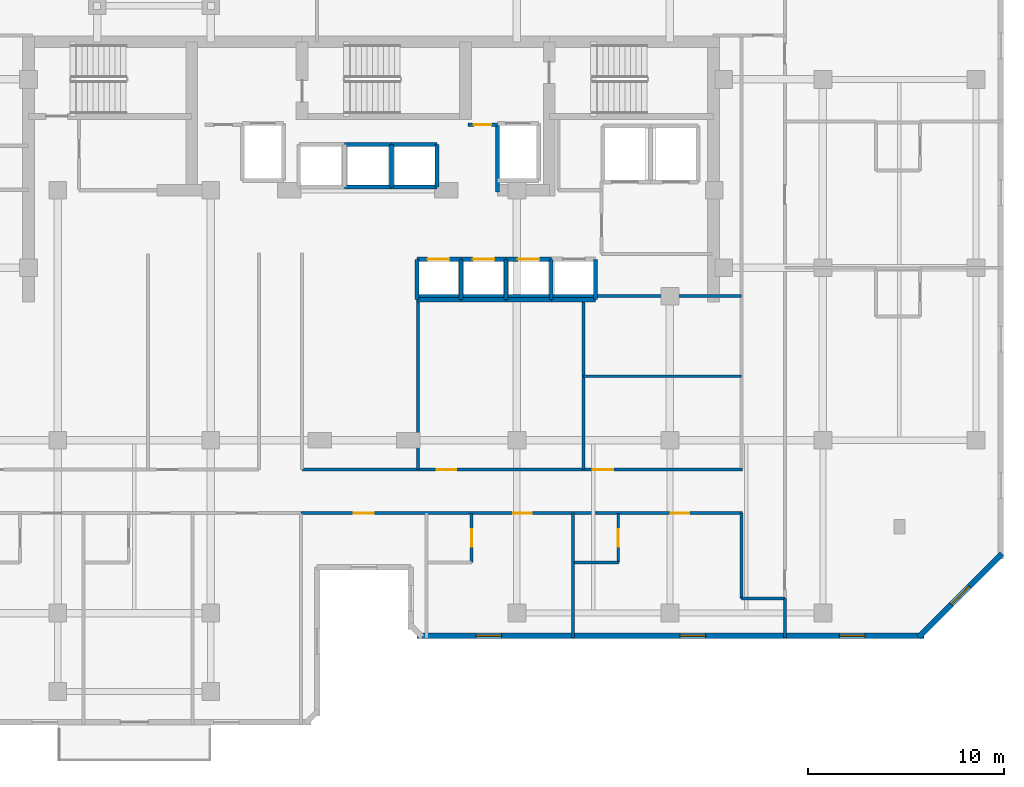
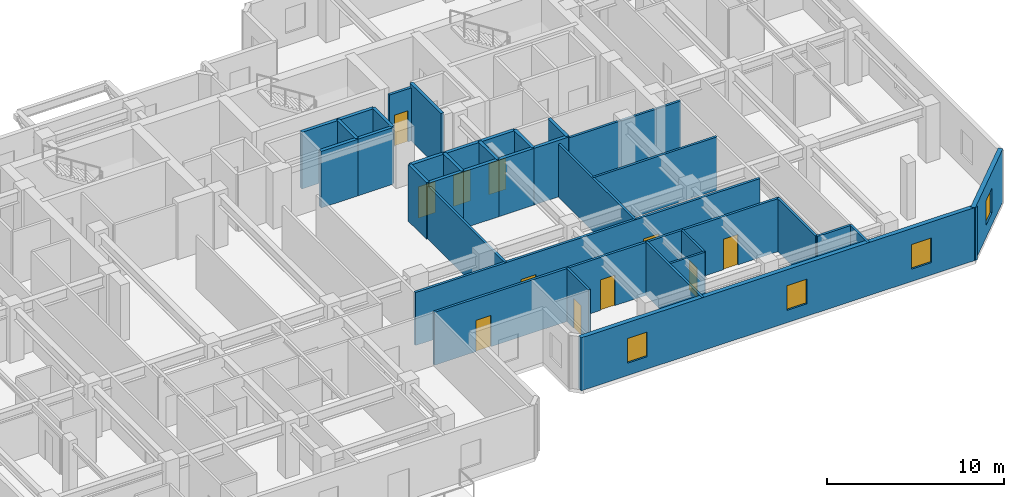
# One storey, part 6 of 11: 35 walls, 11 doors, 4 windows, 15 openings.
"""IFC4 building model written with IfcOpenShell, lengths in metres."""

from ifc_helpers import new_model, si_unit, direction, frame, frame_2d, origin, place, context, subcontext, project, spatial, rectangle, extrude, material, layer, layer_set, type_object, element, fill, save


model = new_model("IFC4")

# Units and contexts
model_context = context("Model", 3, precision=1e-05, world=origin(), true_north=direction((0.0, 1.0)))
body_context = subcontext(model_context, "Body", "Model", "MODEL_VIEW")
ifc_project = project(units=[si_unit("LENGTHUNIT", "METRE"), si_unit("AREAUNIT", "SQUARE_METRE"), si_unit("VOLUMEUNIT", "CUBIC_METRE"), si_unit("PLANEANGLEUNIT", "RADIAN"), si_unit("MASSUNIT", "GRAM", prefix="KILO")], contexts=[model_context])

# Site, building, storey
site_placement = place(None, origin())
site = spatial("IfcSite", under=ifc_project, at=site_placement, CompositionType="ELEMENT")
building_placement = place(site_placement, origin())
building = spatial("IfcBuilding", under=site, at=building_placement, Name="Kestravale Grand Hotel", CompositionType="ELEMENT")
storey_placement = place(building_placement, frame((0.0, 0.0, 208.5)))
storey = spatial("IfcBuildingStorey", under=building, at=storey_placement, Name="L52", CompositionType="ELEMENT", Elevation=208.5)

# Wall, openings, windows
ifc_material_1 = material(Name="Precast concrete f'c 45 MPa", Category="concrete")
ifc_layer_1 = layer(ifc_material_1, 0.280029296875)
ifc_layer_set_1 = layer_set([ifc_layer_1], Name="EW-PREC-280")
wall_type_1 = type_object("IfcWallType", Name="EW-PREC-280", PredefinedType="SOLIDWALL", material=ifc_layer_set_1)
wall_1_placement = place(storey_placement, frame((41.7099609375, 10.0400390625, 0.0), z_axis=(0.0, 0.0, 1.0), x_axis=(1.0, 0.0, 0.0)))
wall_1 = element("IfcWall", 1, at=wall_1_placement, inside=storey, type_object=wall_type_1, Name="L52 fluted precast facade wall 7", PredefinedType="SOLIDWALL", context=body_context, shape_type="SweptSolid", body=[
    extrude(rectangle(XDim=25.830078125, YDim=0.280029296875, at=frame_2d((12.9150390625, 0.0))), origin(), (0.0, 0.0, 1.0), 3.64990234375),
])
opening_1_placement = place(wall_1_placement, frame((3.0048828125, 0.0, 0.85009765625)))
opening_1 = element("IfcOpeningElement", 2, at=opening_1_placement, cuts=wall_1, Name="Opening W-GUEST-1300", PredefinedType="OPENING", context=body_context, shape_type="SweptSolid", body=[
    extrude(rectangle(XDim=1.300048828125, YDim=1.699951171875, at=frame_2d((0.64990234375, 0.85009765625))), frame((0.0, 0.14990234375, 0.0), z_axis=(0.0, -1.0, 0.0), x_axis=(1.0, 0.0, 0.0)), (0.0, 0.0, 1.0), 0.300048828125),
])
opening_2_placement = place(wall_1_placement, frame((13.4150390625, 0.0, 0.85009765625)))
opening_2 = element("IfcOpeningElement", 3, at=opening_2_placement, cuts=wall_1, Name="Opening W-GUEST-1300", PredefinedType="OPENING", context=body_context, shape_type="SweptSolid", body=[
    extrude(rectangle(XDim=1.300048828125, YDim=1.699951171875, at=frame_2d((0.64990234375, 0.85009765625))), frame((0.0, 0.14990234375, 0.0), z_axis=(0.0, -1.0, 0.0), x_axis=(1.0, 0.0, 0.0)), (0.0, 0.0, 1.0), 0.300048828125),
])
opening_3_placement = place(wall_1_placement, frame((21.52490234375, 0.0, 0.85009765625)))
opening_3 = element("IfcOpeningElement", 4, at=opening_3_placement, cuts=wall_1, Name="Opening W-GUEST-1300", PredefinedType="OPENING", context=body_context, shape_type="SweptSolid", body=[
    extrude(rectangle(XDim=1.300048828125, YDim=1.699951171875, at=frame_2d((0.64990234375, 0.85009765625))), frame((0.0, 0.14990234375, 0.0), z_axis=(0.0, -1.0, 0.0), x_axis=(1.0, 0.0, 0.0)), (0.0, 0.0, 1.0), 0.300048828125),
])
ifc_material_2 = material(Name="Insulated low-E double glazing in aluminium frame", Category="aluminium")
window_type = type_object("IfcWindowType", Name="W-GUEST-1300", PartitioningType="SINGLE_PANEL", PredefinedType="WINDOW", material=ifc_material_2)
window_1_placement = place(opening_1_placement, origin())
window_1 = element("IfcWindow", 5, at=window_1_placement, inside=storey, type_object=window_type, Name="L52 exterior window 7.1", OverallHeight=1.699951171875, OverallWidth=1.300048828125, PartitioningType="SINGLE_PANEL", PredefinedType="WINDOW", context=body_context, shape_type="SweptSolid", body=[
    extrude(rectangle(XDim=1.300048828125, YDim=1.699951171875, at=frame_2d((0.64990234375, 0.85009765625))), frame((0.0, 0.030029296875, 0.0), z_axis=(0.0, -1.0, 0.0), x_axis=(1.0, 0.0, 0.0)), (0.0, 0.0, 1.0), 0.06005859375),
])
fill(opening_1, window_1)
window_2_placement = place(opening_2_placement, origin())
window_2 = element("IfcWindow", 6, at=window_2_placement, inside=storey, type_object=window_type, Name="L52 exterior window 7.2", OverallHeight=1.699951171875, OverallWidth=1.300048828125, PartitioningType="SINGLE_PANEL", PredefinedType="WINDOW", context=body_context, shape_type="SweptSolid", body=[
    extrude(rectangle(XDim=1.300048828125, YDim=1.699951171875, at=frame_2d((0.64990234375, 0.85009765625))), frame((0.0, 0.030029296875, 0.0), z_axis=(0.0, -1.0, 0.0), x_axis=(1.0, 0.0, 0.0)), (0.0, 0.0, 1.0), 0.06005859375),
])
fill(opening_2, window_2)
window_3_placement = place(opening_3_placement, origin())
window_3 = element("IfcWindow", 7, at=window_3_placement, inside=storey, type_object=window_type, Name="L52 exterior window 7.3", OverallHeight=1.699951171875, OverallWidth=1.300048828125, PartitioningType="SINGLE_PANEL", PredefinedType="WINDOW", context=body_context, shape_type="SweptSolid", body=[
    extrude(rectangle(XDim=1.300048828125, YDim=1.699951171875, at=frame_2d((0.64990234375, 0.85009765625))), frame((0.0, 0.030029296875, 0.0), z_axis=(0.0, -1.0, 0.0), x_axis=(1.0, 0.0, 0.0)), (0.0, 0.0, 1.0), 0.06005859375),
])
fill(opening_3, window_3)

# Wall, opening, window
wall_2_placement = place(storey_placement, frame((67.272705078125, 9.970703125, 0.0), z_axis=(0.0, 0.0, 1.0), x_axis=(0.707106781187, 0.707106781187, 0.0)))
wall_2 = element("IfcWall", 8, at=wall_2_placement, inside=storey, type_object=wall_type_1, Name="L52 fluted precast facade wall 8", PredefinedType="SOLIDWALL", context=body_context, shape_type="SweptSolid", body=[
    extrude(rectangle(XDim=6.019775390625, YDim=0.280029296875, at=frame_2d((3.009765625, 0.0))), origin(), (0.0, 0.0, 1.0), 3.64990234375),
])
opening_4_placement = place(wall_2_placement, frame((2.35986328125, 0.0, 0.85009765625)))
opening_4 = element("IfcOpeningElement", 9, at=opening_4_placement, cuts=wall_2, Name="Opening W-GUEST-1300", PredefinedType="OPENING", context=body_context, shape_type="SweptSolid", body=[
    extrude(rectangle(XDim=1.300048828125, YDim=1.699951171875, at=frame_2d((0.64990234375, 0.85009765625))), frame((0.0, 0.14990234375, 0.0), z_axis=(0.0, -1.0, 0.0), x_axis=(1.0, 0.0, 0.0)), (0.0, 0.0, 1.0), 0.300048828125),
])
window_4_placement = place(opening_4_placement, origin())
window_4 = element("IfcWindow", 10, at=window_4_placement, inside=storey, type_object=window_type, Name="L52 exterior window 8.1", OverallHeight=1.699951171875, OverallWidth=1.300048828125, PartitioningType="SINGLE_PANEL", PredefinedType="WINDOW", context=body_context, shape_type="SweptSolid", body=[
    extrude(rectangle(XDim=1.300048828125, YDim=1.699951171875, at=frame_2d((0.64990234375, 0.85009765625))), frame((0.0, 0.030029296875, 0.0), z_axis=(0.0, -1.0, 0.0), x_axis=(1.0, 0.0, 0.0)), (0.0, 0.0, 1.0), 0.06005859375),
])
fill(opening_4, window_4)

# Wall, openings, doors
ifc_material_3 = material(Name="Acoustic fire-rated gypsum board partition", Category="other")
ifc_layer_2 = layer(ifc_material_3, 0.159912109375)
ifc_layer_set_2 = layer_set([ifc_layer_2], Name="IW-CORR-160")
wall_type_2 = type_object("IfcWallType", Name="IW-CORR-160", PredefinedType="PARTITIONING", material=ifc_layer_set_2)
wall_3_placement = place(storey_placement, frame((35.85009765625, 18.510009765625, 0.0), z_axis=(0.0, 0.0, 1.0), x_axis=(1.0, 0.0, 0.0)))
wall_3 = element("IfcWall", 11, at=wall_3_placement, inside=storey, type_object=wall_type_2, Name="W-L52-CE-N", PredefinedType="PARTITIONING", context=body_context, shape_type="SweptSolid", body=[
    extrude(rectangle(XDim=22.449951171875, YDim=0.159912109375, at=frame_2d((11.22509765625, 0.0))), origin(), (0.0, 0.0, 1.0), 3.64990234375),
])
opening_5_placement = place(wall_3_placement, frame((6.85009765625, 0.0, 0.0)))
opening_5 = element("IfcOpeningElement", 12, at=opening_5_placement, cuts=wall_3, Name="Opening D-GUEST-1000", PredefinedType="OPENING", context=body_context, shape_type="SweptSolid", body=[
    extrude(rectangle(XDim=1.0, YDim=2.14990234375, at=frame_2d((0.5, 1.074951171875))), frame((0.0, 0.08984375, 0.0), z_axis=(0.0, -1.0, 0.0), x_axis=(1.0, 0.0, 0.0)), (0.0, 0.0, 1.0), 0.179931640625),
])
opening_6_placement = place(wall_3_placement, frame((14.85009765625, 0.0, 0.0)))
opening_6 = element("IfcOpeningElement", 13, at=opening_6_placement, cuts=wall_3, Name="Opening D-GUEST-1000", PredefinedType="OPENING", context=body_context, shape_type="SweptSolid", body=[
    extrude(rectangle(XDim=1.0, YDim=2.14990234375, at=frame_2d((0.5, 1.074951171875))), frame((0.0, 0.08984375, 0.0), z_axis=(0.0, -1.0, 0.0), x_axis=(1.0, 0.0, 0.0)), (0.0, 0.0, 1.0), 0.179931640625),
])
ifc_material_4 = material(Name="Accessible walnut veneer hotel entrance fire door", Category="wood")
door_type_1 = type_object("IfcDoorType", Name="D-GUEST-1000", OperationType="NOTDEFINED", PredefinedType="DOOR", material=ifc_material_4)
door_1_placement = place(opening_5_placement, origin())
door_1 = element("IfcDoor", 14, at=door_1_placement, inside=storey, type_object=door_type_1, Name="D-L52-RECL-E1", OperationType="SINGLE_SWING_RIGHT", OverallHeight=2.14990234375, OverallWidth=1.0, PredefinedType="DOOR", context=body_context, shape_type="SweptSolid", body=[
    extrude(rectangle(XDim=1.0, YDim=2.14990234375, at=frame_2d((0.5, 1.074951171875))), frame((0.0, 0.02490234375, 0.0), z_axis=(0.0, -1.0, 0.0), x_axis=(1.0, 0.0, 0.0)), (0.0, 0.0, 1.0), 0.050048828125),
])
fill(opening_5, door_1)
door_2_placement = place(opening_6_placement, origin())
door_2 = element("IfcDoor", 15, at=door_2_placement, inside=storey, type_object=door_type_1, Name="D-L52-RECL-E2", OperationType="SINGLE_SWING_LEFT", OverallHeight=2.14990234375, OverallWidth=1.0, PredefinedType="DOOR", context=body_context, shape_type="SweptSolid", body=[
    extrude(rectangle(XDim=1.0, YDim=2.14990234375, at=frame_2d((0.5, 1.074951171875))), frame((0.0, 0.02490234375, 0.0), z_axis=(0.0, -1.0, 0.0), x_axis=(1.0, 0.0, 0.0)), (0.0, 0.0, 1.0), 0.050048828125),
])
fill(opening_6, door_2)

wall_4_placement = place(storey_placement, frame((35.800048828125, 16.2900390625, 0.0), z_axis=(0.0, 0.0, 1.0), x_axis=(1.0, 0.0, 0.0)))
wall_4 = element("IfcWall", 16, at=wall_4_placement, inside=storey, type_object=wall_type_2, Name="W-L52-CE-S", PredefinedType="PARTITIONING", context=body_context, shape_type="SweptSolid", body=[
    extrude(rectangle(XDim=22.5, YDim=0.159912109375, at=frame_2d((11.25, 0.0))), origin(), (0.0, 0.0, 1.0), 3.64990234375),
])
opening_7_placement = place(wall_4_placement, frame((2.68994140625, 0.0, 0.0)))
opening_7 = element("IfcOpeningElement", 17, at=opening_7_placement, cuts=wall_4, Name="Opening D-GUEST-1000", PredefinedType="OPENING", context=body_context, shape_type="SweptSolid", body=[
    extrude(rectangle(XDim=1.0, YDim=2.14990234375, at=frame_2d((0.5, 1.074951171875))), frame((0.0, 0.08984375, 0.0), z_axis=(0.0, -1.0, 0.0), x_axis=(1.0, 0.0, 0.0)), (0.0, 0.0, 1.0), 0.179931640625),
])
opening_8_placement = place(wall_4_placement, frame((10.800048828125, 0.0, 0.0)))
opening_8 = element("IfcOpeningElement", 18, at=opening_8_placement, cuts=wall_4, Name="Opening D-GUEST-950", PredefinedType="OPENING", context=body_context, shape_type="SweptSolid", body=[
    extrude(rectangle(XDim=0.949951171875, YDim=2.10009765625, at=frame_2d((0.47509765625, 1.050048828125))), frame((0.0, 0.08984375, 0.0), z_axis=(0.0, -1.0, 0.0), x_axis=(1.0, 0.0, 0.0)), (0.0, 0.0, 1.0), 0.179931640625),
])
opening_9_placement = place(wall_4_placement, frame((18.830078125, 0.0, 0.0)))
opening_9 = element("IfcOpeningElement", 19, at=opening_9_placement, cuts=wall_4, Name="Opening D-GUEST-950", PredefinedType="OPENING", context=body_context, shape_type="SweptSolid", body=[
    extrude(rectangle(XDim=0.949951171875, YDim=2.10009765625, at=frame_2d((0.47509765625, 1.050048828125))), frame((0.0, 0.08984375, 0.0), z_axis=(0.0, -1.0, 0.0), x_axis=(1.0, 0.0, 0.0)), (0.0, 0.0, 1.0), 0.179931640625),
])
door_3_placement = place(opening_7_placement, origin())
door_3 = element("IfcDoor", 20, at=door_3_placement, inside=storey, type_object=door_type_1, Name="D-L52-AME", OperationType="SINGLE_SWING_LEFT", OverallHeight=2.14990234375, OverallWidth=1.0, PredefinedType="DOOR", context=body_context, shape_type="SweptSolid", body=[
    extrude(rectangle(XDim=1.0, YDim=2.14990234375, at=frame_2d((0.5, 1.074951171875))), frame((0.0, 0.02490234375, 0.0), z_axis=(0.0, -1.0, 0.0), x_axis=(1.0, 0.0, 0.0)), (0.0, 0.0, 1.0), 0.050048828125),
])
fill(opening_7, door_3)
ifc_material_5 = material(Name="Walnut veneer hotel guestroom entrance fire door", Category="wood")
door_type_2 = type_object("IfcDoorType", Name="D-GUEST-950", OperationType="NOTDEFINED", PredefinedType="DOOR", material=ifc_material_5)
door_4_placement = place(opening_8_placement, origin())
door_4 = element("IfcDoor", 21, at=door_4_placement, inside=storey, type_object=door_type_2, Name="D-L52-U03-ENT", OperationType="SINGLE_SWING_LEFT", OverallHeight=2.10009765625, OverallWidth=0.949951171875, PredefinedType="DOOR", context=body_context, shape_type="SweptSolid", body=[
    extrude(rectangle(XDim=0.949951171875, YDim=2.10009765625, at=frame_2d((0.47509765625, 1.050048828125))), frame((0.0, 0.02490234375, 0.0), z_axis=(0.0, -1.0, 0.0), x_axis=(1.0, 0.0, 0.0)), (0.0, 0.0, 1.0), 0.050048828125),
])
fill(opening_8, door_4)
door_5_placement = place(opening_9_placement, origin())
door_5 = element("IfcDoor", 22, at=door_5_placement, inside=storey, type_object=door_type_2, Name="D-L52-U04-ENT", OperationType="SINGLE_SWING_LEFT", OverallHeight=2.10009765625, OverallWidth=0.949951171875, PredefinedType="DOOR", context=body_context, shape_type="SweptSolid", body=[
    extrude(rectangle(XDim=0.949951171875, YDim=2.10009765625, at=frame_2d((0.47509765625, 1.050048828125))), frame((0.0, 0.02490234375, 0.0), z_axis=(0.0, -1.0, 0.0), x_axis=(1.0, 0.0, 0.0)), (0.0, 0.0, 1.0), 0.050048828125),
])
fill(opening_9, door_5)

# Wall
wall_5_placement = place(storey_placement, frame((58.239990234375, 11.949951171875, 0.0), z_axis=(0.0, 0.0, 1.0), x_axis=(0.0, 1.0, 0.0)))
element("IfcWall", 23, at=wall_5_placement, inside=storey, type_object=wall_type_2, Name="W-L52-SE-W", PredefinedType="PARTITIONING", context=body_context, shape_type="SweptSolid", body=[
    extrude(rectangle(XDim=4.340087890625, YDim=0.159912109375, at=frame_2d((2.169921875, 0.0))), origin(), (0.0, 0.0, 1.0), 3.64990234375),
])

# Wall, opening, door
ifc_material_6 = material(Name="Fire-rated gypsum board on steel studs with mineral wool", Category="steel")
ifc_layer_3 = layer(ifc_material_6, 0.179931640625)
ifc_layer_set_3 = layer_set([ifc_layer_3], Name="IW-FSAE-180")
wall_type_3 = type_object("IfcWallType", Name="IW-FSAE-180", PredefinedType="PARTITIONING", material=ifc_layer_set_3)
wall_6_placement = place(storey_placement, frame((44.300048828125, 36.080078125, 0.0), z_axis=(0.0, 0.0, 1.0), x_axis=(1.0, 0.0, 0.0)))
wall_6 = element("IfcWall", 24, at=wall_6_placement, inside=storey, type_object=wall_type_3, Name="L52 FSAE Lobby 2 smoke barrier", PredefinedType="PARTITIONING", context=body_context, shape_type="SweptSolid", body=[
    extrude(rectangle(XDim=1.5, YDim=0.179931640625, at=frame_2d((0.75, 0.0))), origin(), (0.0, 0.0, 1.0), 3.64990234375),
])
opening_10_placement = place(wall_6_placement, frame((0.300048828125, 0.0, 0.0)))
opening_10 = element("IfcOpeningElement", 25, at=opening_10_placement, cuts=wall_6, Name="Opening D-FSAE-1000", PredefinedType="OPENING", context=body_context, shape_type="SweptSolid", body=[
    extrude(rectangle(XDim=0.89990234375, YDim=2.14990234375, at=frame_2d((0.449951171875, 1.074951171875))), frame((0.0, 0.099853515625, 0.0), z_axis=(0.0, -1.0, 0.0), x_axis=(1.0, 0.0, 0.0)), (0.0, 0.0, 1.0), 0.199951171875),
])
ifc_material_7 = material(Name="Smoke-gasketed FSAE lobby fire door", Category="steel")
door_type_3 = type_object("IfcDoorType", Name="D-FSAE-1000", OperationType="NOTDEFINED", PredefinedType="DOOR", material=ifc_material_7)
door_6_placement = place(opening_10_placement, origin())
door_6 = element("IfcDoor", 26, at=door_6_placement, inside=storey, type_object=door_type_3, Name="L52 FSAE Lobby 2 fire door", OperationType="SINGLE_SWING_LEFT", OverallHeight=2.14990234375, OverallWidth=0.89990234375, PredefinedType="DOOR", context=body_context, shape_type="SweptSolid", body=[
    extrude(rectangle(XDim=0.89990234375, YDim=2.14990234375, at=frame_2d((0.449951171875, 1.074951171875))), frame((0.0, 0.02490234375, 0.0), z_axis=(0.0, -1.0, 0.0), x_axis=(1.0, 0.0, 0.0)), (0.0, 0.0, 1.0), 0.050048828125),
])
fill(opening_10, door_6)

ifc_material_8 = material(Name="Moisture-resistant tile-backer plumbing chase wall", Category="other")
ifc_layer_4 = layer(ifc_material_8, 0.139892578125)
ifc_layer_set_4 = layer_set([ifc_layer_4], Name="IW-PLB-140")
wall_type_4 = type_object("IfcWallType", Name="IW-PLB-140", PredefinedType="PLUMBINGWALL", material=ifc_layer_set_4)
wall_7_placement = place(storey_placement, frame((44.489990234375, 13.780029296875, 0.0), z_axis=(0.0, 0.0, 1.0), x_axis=(0.0, 1.0, 0.0)))
wall_7 = element("IfcWall", 27, at=wall_7_placement, inside=storey, type_object=wall_type_4, Name="W-L52-U03-BE", PredefinedType="PLUMBINGWALL", context=body_context, shape_type="SweptSolid", body=[
    extrude(rectangle(XDim=2.489990234375, YDim=0.139892578125, at=frame_2d((1.2451171875, 0.0))), origin(), (0.0, 0.0, 1.0), 3.64990234375),
])
opening_11_placement = place(wall_7_placement, frame((0.804931640625, 0.0, 0.0)))
opening_11 = element("IfcOpeningElement", 28, at=opening_11_placement, cuts=wall_7, Name="Opening D-BATH-880", PredefinedType="OPENING", context=body_context, shape_type="SweptSolid", body=[
    extrude(rectangle(XDim=0.8798828125, YDim=2.050048828125, at=frame_2d((0.43994140625, 1.02490234375))), frame((0.0, 0.079833984375, 0.0), z_axis=(0.0, -1.0, 0.0), x_axis=(1.0, 0.0, 0.0)), (0.0, 0.0, 1.0), 0.159912109375),
])
ifc_material_9 = material(Name="Moisture-sealed walnut en-suite bathroom door", Category="wood")
door_type_4 = type_object("IfcDoorType", Name="D-BATH-880", OperationType="NOTDEFINED", PredefinedType="DOOR", material=ifc_material_9)
door_7_placement = place(opening_11_placement, origin())
door_7 = element("IfcDoor", 29, at=door_7_placement, inside=storey, type_object=door_type_4, Name="D-L52-U03-BATH", OperationType="SINGLE_SWING_RIGHT", OverallHeight=2.050048828125, OverallWidth=0.8798828125, PredefinedType="DOOR", context=body_context, shape_type="SweptSolid", body=[
    extrude(rectangle(XDim=0.8798828125, YDim=2.050048828125, at=frame_2d((0.43994140625, 1.02490234375))), frame((0.0, 0.02490234375, 0.0), z_axis=(0.0, -1.0, 0.0), x_axis=(1.0, 0.0, 0.0)), (0.0, 0.0, 1.0), 0.050048828125),
])
fill(opening_11, door_7)

wall_8_placement = place(storey_placement, frame((51.969970703125, 13.780029296875, 0.0), z_axis=(0.0, 0.0, 1.0), x_axis=(0.0, 1.0, 0.0)))
wall_8 = element("IfcWall", 30, at=wall_8_placement, inside=storey, type_object=wall_type_4, Name="W-L52-U04-BE", PredefinedType="PLUMBINGWALL", context=body_context, shape_type="SweptSolid", body=[
    extrude(rectangle(XDim=2.489990234375, YDim=0.139892578125, at=frame_2d((1.2451171875, 0.0))), origin(), (0.0, 0.0, 1.0), 3.64990234375),
])
opening_12_placement = place(wall_8_placement, frame((0.804931640625, 0.0, 0.0)))
opening_12 = element("IfcOpeningElement", 31, at=opening_12_placement, cuts=wall_8, Name="Opening D-BATH-880", PredefinedType="OPENING", context=body_context, shape_type="SweptSolid", body=[
    extrude(rectangle(XDim=0.8798828125, YDim=2.050048828125, at=frame_2d((0.43994140625, 1.02490234375))), frame((0.0, 0.079833984375, 0.0), z_axis=(0.0, -1.0, 0.0), x_axis=(1.0, 0.0, 0.0)), (0.0, 0.0, 1.0), 0.159912109375),
])
door_8_placement = place(opening_12_placement, origin())
door_8 = element("IfcDoor", 32, at=door_8_placement, inside=storey, type_object=door_type_4, Name="D-L52-U04-BATH", OperationType="SINGLE_SWING_RIGHT", OverallHeight=2.050048828125, OverallWidth=0.8798828125, PredefinedType="DOOR", context=body_context, shape_type="SweptSolid", body=[
    extrude(rectangle(XDim=0.8798828125, YDim=2.050048828125, at=frame_2d((0.43994140625, 1.02490234375))), frame((0.0, 0.02490234375, 0.0), z_axis=(0.0, -1.0, 0.0), x_axis=(1.0, 0.0, 0.0)), (0.0, 0.0, 1.0), 0.050048828125),
])
fill(opening_12, door_8)

# Walls
wall_9_placement = place(storey_placement, frame((49.719970703125, 13.780029296875, 0.0), z_axis=(0.0, 0.0, 1.0), x_axis=(1.0, 0.0, 0.0)))
element("IfcWall", 33, at=wall_9_placement, inside=storey, type_object=wall_type_4, Name="W-L52-U04-BS", PredefinedType="PLUMBINGWALL", context=body_context, shape_type="SweptSolid", body=[
    extrude(rectangle(XDim=2.25, YDim=0.139892578125, at=frame_2d((1.125, 0.0))), origin(), (0.0, 0.0, 1.0), 3.64990234375),
])
ifc_material_10 = material(Name="Concrete f'c 45 MPa", Category="concrete")
ifc_layer_5 = layer(ifc_material_10, 0.199951171875)
ifc_layer_set_5 = layer_set([ifc_layer_5], Name="IW-SHAFT-200")
wall_type_5 = type_object("IfcWallType", Name="IW-SHAFT-200", PredefinedType="SHEAR", material=ifc_layer_set_5)
for number, where, z_axis, x_axis, name in (
    (34, (41.705078125, 27.169921875, 0.0), (0.0, 0.0, 1.0), (0.0, 1.0, 0.0), "L52 PL-M1 west shaft wall"),
    (35, (43.949951171875, 27.169921875, 0.0), (0.0, 0.0, 1.0), (0.0, 1.0, 0.0), "L52 PL-M2 west shaft wall"),
    (36, (46.25, 27.169921875, 0.0), (0.0, 0.0, 1.0), (0.0, 1.0, 0.0), "L52 PL-M3 west shaft wall"),
    (37, (48.550048828125, 27.169921875, 0.0), (0.0, 0.0, 1.0), (0.0, 1.0, 0.0), "L52 PL-M4 west shaft wall"),
    (38, (50.794921875, 27.169921875, 0.0), (0.0, 0.0, 1.0), (0.0, 1.0, 0.0), "L52 PL-M4 east shaft wall"),
):
    element("IfcWall", number, at=place(storey_placement, frame(where, z_axis=z_axis, x_axis=x_axis)), inside=storey, type_object=wall_type_5, Name=name, PredefinedType="SHEAR", context=body_context, shape_type="SweptSolid", body=[
        extrude(rectangle(XDim=2.06005859375, YDim=0.199951171875, at=frame_2d((1.030029296875, 0.0))), origin(), (0.0, 0.0, 1.0), 3.89990234375),
    ])
for number, where, z_axis, x_axis, name in (
    (39, (40.39990234375, 32.919921875, 0.0), (0.0, 0.0, 1.0), (0.0, 1.0, 0.0), "L52 PL-X3 west shaft wall"),
    (40, (42.719970703125, 32.919921875, 0.0), (0.0, 0.0, 1.0), (0.0, 1.0, 0.0), "L52 PL-X3 east shaft wall"),
):
    element("IfcWall", number, at=place(storey_placement, frame(where, z_axis=z_axis, x_axis=x_axis)), inside=storey, type_object=wall_type_5, Name=name, PredefinedType="SHEAR", context=body_context, shape_type="SweptSolid", body=[
        extrude(rectangle(XDim=2.16015625, YDim=0.199951171875, at=frame_2d((1.080078125, 0.0))), origin(), (0.0, 0.0, 1.0), 3.89990234375),
    ])
wall_10_placement = place(storey_placement, frame((45.804931640625, 32.64990234375, 0.0), z_axis=(0.0, 0.0, 1.0), x_axis=(0.0, 1.0, 0.0)))
element("IfcWall", 41, at=wall_10_placement, inside=storey, type_object=wall_type_5, Name="L52 FL-2 west shaft wall", PredefinedType="SHEAR", context=body_context, shape_type="SweptSolid", body=[
    extrude(rectangle(XDim=3.505126953125, YDim=0.199951171875, at=frame_2d((1.75244140625, 0.0))), origin(), (0.0, 0.0, 1.0), 3.89990234375),
])

# Wall, opening, door
ifc_material_11 = material(Name="Concrete f'c 45 MPa", Category="concrete")
ifc_layer_6 = layer(ifc_material_11, 0.219970703125)
ifc_layer_set_6 = layer_set([ifc_layer_6], Name="IW-SHAFT-220")
wall_type_6 = type_object("IfcWallType", Name="IW-SHAFT-220", PredefinedType="SHEAR", material=ifc_layer_set_6)
wall_11_placement = place(storey_placement, frame((41.705078125, 29.22998046875, 0.0), z_axis=(0.0, 0.0, 1.0), x_axis=(1.0, 0.0, 0.0)))
wall_11 = element("IfcWall", 42, at=wall_11_placement, inside=storey, type_object=wall_type_6, Name="L52 PL-M1 north shaft wall", PredefinedType="SHEAR", context=body_context, shape_type="SweptSolid", body=[
    extrude(rectangle(XDim=2.244873046875, YDim=0.219970703125, at=frame_2d((1.12255859375, 0.0))), origin(), (0.0, 0.0, 1.0), 3.89990234375),
])
opening_13_placement = place(wall_11_placement, frame((0.544921875, 0.0, 0.0)))
opening_13 = element("IfcOpeningElement", 43, at=opening_13_placement, cuts=wall_11, Name="Opening LD-PAX-1100", PredefinedType="OPENING", context=body_context, shape_type="SweptSolid", body=[
    extrude(rectangle(XDim=1.10009765625, YDim=2.14990234375, at=frame_2d((0.550048828125, 1.074951171875))), frame((0.0, 0.119873046875, 0.0), z_axis=(0.0, -1.0, 0.0), x_axis=(1.0, 0.0, 0.0)), (0.0, 0.0, 1.0), 0.239990234375),
])
ifc_material_12 = material(Name="Champagne-bronze center-opening sliding elevator landing door", Category="steel")
door_type_5 = type_object("IfcDoorType", Name="LD-PAX-1100", OperationType="NOTDEFINED", PredefinedType="DOOR", material=ifc_material_12)
door_9_placement = place(opening_13_placement, origin())
door_9 = element("IfcDoor", 44, at=door_9_placement, inside=storey, type_object=door_type_5, Name="L52 PL-M1 elevator landing sliding door", OperationType="DOUBLE_DOOR_SLIDING", OverallHeight=2.14990234375, OverallWidth=1.10009765625, PredefinedType="DOOR", context=body_context, shape_type="SweptSolid", body=[
    extrude(rectangle(XDim=1.10009765625, YDim=2.14990234375, at=frame_2d((0.550048828125, 1.074951171875))), frame((0.0, 0.02490234375, 0.0), z_axis=(0.0, -1.0, 0.0), x_axis=(1.0, 0.0, 0.0)), (0.0, 0.0, 1.0), 0.050048828125),
])
fill(opening_13, door_9)

# Wall
wall_12_placement = place(storey_placement, frame((41.705078125, 27.169921875, 0.0), z_axis=(0.0, 0.0, 1.0), x_axis=(1.0, 0.0, 0.0)))
element("IfcWall", 45, at=wall_12_placement, inside=storey, type_object=wall_type_6, Name="L52 PL-M1 south shaft wall", PredefinedType="SHEAR", context=body_context, shape_type="SweptSolid", body=[
    extrude(rectangle(XDim=2.244873046875, YDim=0.219970703125, at=frame_2d((1.12255859375, 0.0))), origin(), (0.0, 0.0, 1.0), 3.89990234375),
])

# Wall, opening, door
wall_13_placement = place(storey_placement, frame((43.949951171875, 29.22998046875, 0.0), z_axis=(0.0, 0.0, 1.0), x_axis=(1.0, 0.0, 0.0)))
wall_13 = element("IfcWall", 46, at=wall_13_placement, inside=storey, type_object=wall_type_6, Name="L52 PL-M2 north shaft wall", PredefinedType="SHEAR", context=body_context, shape_type="SweptSolid", body=[
    extrude(rectangle(XDim=2.300048828125, YDim=0.219970703125, at=frame_2d((1.14990234375, 0.0))), origin(), (0.0, 0.0, 1.0), 3.89990234375),
])
opening_14_placement = place(wall_13_placement, frame((0.60009765625, 0.0, 0.0)))
opening_14 = element("IfcOpeningElement", 47, at=opening_14_placement, cuts=wall_13, Name="Opening LD-PAX-1100", PredefinedType="OPENING", context=body_context, shape_type="SweptSolid", body=[
    extrude(rectangle(XDim=1.10009765625, YDim=2.14990234375, at=frame_2d((0.550048828125, 1.074951171875))), frame((0.0, 0.119873046875, 0.0), z_axis=(0.0, -1.0, 0.0), x_axis=(1.0, 0.0, 0.0)), (0.0, 0.0, 1.0), 0.239990234375),
])
door_10_placement = place(opening_14_placement, origin())
door_10 = element("IfcDoor", 48, at=door_10_placement, inside=storey, type_object=door_type_5, Name="L52 PL-M2 elevator landing sliding door", OperationType="DOUBLE_DOOR_SLIDING", OverallHeight=2.14990234375, OverallWidth=1.10009765625, PredefinedType="DOOR", context=body_context, shape_type="SweptSolid", body=[
    extrude(rectangle(XDim=1.10009765625, YDim=2.14990234375, at=frame_2d((0.550048828125, 1.074951171875))), frame((0.0, 0.02490234375, 0.0), z_axis=(0.0, -1.0, 0.0), x_axis=(1.0, 0.0, 0.0)), (0.0, 0.0, 1.0), 0.050048828125),
])
fill(opening_14, door_10)

# Wall
wall_14_placement = place(storey_placement, frame((43.949951171875, 27.169921875, 0.0), z_axis=(0.0, 0.0, 1.0), x_axis=(1.0, 0.0, 0.0)))
element("IfcWall", 49, at=wall_14_placement, inside=storey, type_object=wall_type_6, Name="L52 PL-M2 south shaft wall", PredefinedType="SHEAR", context=body_context, shape_type="SweptSolid", body=[
    extrude(rectangle(XDim=2.300048828125, YDim=0.219970703125, at=frame_2d((1.14990234375, 0.0))), origin(), (0.0, 0.0, 1.0), 3.89990234375),
])

# Wall, opening, door
wall_15_placement = place(storey_placement, frame((46.25, 29.22998046875, 0.0), z_axis=(0.0, 0.0, 1.0), x_axis=(1.0, 0.0, 0.0)))
wall_15 = element("IfcWall", 50, at=wall_15_placement, inside=storey, type_object=wall_type_6, Name="L52 PL-M3 north shaft wall", PredefinedType="SHEAR", context=body_context, shape_type="SweptSolid", body=[
    extrude(rectangle(XDim=2.300048828125, YDim=0.219970703125, at=frame_2d((1.14990234375, 0.0))), origin(), (0.0, 0.0, 1.0), 3.89990234375),
])
opening_15_placement = place(wall_15_placement, frame((0.60009765625, 0.0, 0.0)))
opening_15 = element("IfcOpeningElement", 51, at=opening_15_placement, cuts=wall_15, Name="Opening LD-PAX-1100", PredefinedType="OPENING", context=body_context, shape_type="SweptSolid", body=[
    extrude(rectangle(XDim=1.10009765625, YDim=2.14990234375, at=frame_2d((0.550048828125, 1.074951171875))), frame((0.0, 0.119873046875, 0.0), z_axis=(0.0, -1.0, 0.0), x_axis=(1.0, 0.0, 0.0)), (0.0, 0.0, 1.0), 0.239990234375),
])
door_11_placement = place(opening_15_placement, origin())
door_11 = element("IfcDoor", 52, at=door_11_placement, inside=storey, type_object=door_type_5, Name="L52 PL-M3 elevator landing sliding door", OperationType="DOUBLE_DOOR_SLIDING", OverallHeight=2.14990234375, OverallWidth=1.10009765625, PredefinedType="DOOR", context=body_context, shape_type="SweptSolid", body=[
    extrude(rectangle(XDim=1.10009765625, YDim=2.14990234375, at=frame_2d((0.550048828125, 1.074951171875))), frame((0.0, 0.02490234375, 0.0), z_axis=(0.0, -1.0, 0.0), x_axis=(1.0, 0.0, 0.0)), (0.0, 0.0, 1.0), 0.050048828125),
])
fill(opening_15, door_11)

# Walls
wall_16_placement = place(storey_placement, frame((46.25, 27.169921875, 0.0), z_axis=(0.0, 0.0, 1.0), x_axis=(1.0, 0.0, 0.0)))
element("IfcWall", 53, at=wall_16_placement, inside=storey, type_object=wall_type_6, Name="L52 PL-M3 south shaft wall", PredefinedType="SHEAR", context=body_context, shape_type="SweptSolid", body=[
    extrude(rectangle(XDim=2.300048828125, YDim=0.219970703125, at=frame_2d((1.14990234375, 0.0))), origin(), (0.0, 0.0, 1.0), 3.89990234375),
])
wall_17_placement = place(storey_placement, frame((48.550048828125, 27.169921875, 0.0), z_axis=(0.0, 0.0, 1.0), x_axis=(1.0, 0.0, 0.0)))
element("IfcWall", 54, at=wall_17_placement, inside=storey, type_object=wall_type_6, Name="L52 PL-M4 south shaft wall", PredefinedType="SHEAR", context=body_context, shape_type="SweptSolid", body=[
    extrude(rectangle(XDim=2.244873046875, YDim=0.219970703125, at=frame_2d((1.12255859375, 0.0))), origin(), (0.0, 0.0, 1.0), 3.89990234375),
])
for number, where, z_axis, x_axis, name in (
    (55, (38.0, 35.080078125, 0.0), (0.0, 0.0, 1.0), (1.0, 0.0, 0.0), "L52 PL-X2 north shaft wall"),
    (56, (38.0, 32.919921875, 0.0), (0.0, 0.0, 1.0), (1.0, 0.0, 0.0), "L52 PL-X2 south shaft wall"),
):
    element("IfcWall", number, at=place(storey_placement, frame(where, z_axis=z_axis, x_axis=x_axis)), inside=storey, type_object=wall_type_6, Name=name, PredefinedType="SHEAR", context=body_context, shape_type="SweptSolid", body=[
        extrude(rectangle(XDim=2.39990234375, YDim=0.219970703125, at=frame_2d((1.199951171875, 0.0))), origin(), (0.0, 0.0, 1.0), 3.89990234375),
    ])
for number, where, z_axis, x_axis, name in (
    (57, (40.39990234375, 35.080078125, 0.0), (0.0, 0.0, 1.0), (1.0, 0.0, 0.0), "L52 PL-X3 north shaft wall"),
    (58, (40.39990234375, 32.919921875, 0.0), (0.0, 0.0, 1.0), (1.0, 0.0, 0.0), "L52 PL-X3 south shaft wall"),
):
    element("IfcWall", number, at=place(storey_placement, frame(where, z_axis=z_axis, x_axis=x_axis)), inside=storey, type_object=wall_type_6, Name=name, PredefinedType="SHEAR", context=body_context, shape_type="SweptSolid", body=[
        extrude(rectangle(XDim=2.320068359375, YDim=0.219970703125, at=frame_2d((1.16015625, 0.0))), origin(), (0.0, 0.0, 1.0), 3.89990234375),
    ])
ifc_material_13 = material(Name="Double-stud STC 52 acoustic demising partition", Category="other")
ifc_layer_7 = layer(ifc_material_13, 0.14990234375)
ifc_layer_set_7 = layer_set([ifc_layer_7], Name="IW-UNIT-150")
wall_type_7 = type_object("IfcWallType", Name="IW-UNIT-150", PredefinedType="PARTITIONING", material=ifc_layer_set_7)
wall_18_placement = place(storey_placement, frame((58.239990234375, 11.949951171875, 0.0), z_axis=(0.0, 0.0, 1.0), x_axis=(1.0, 0.0, 0.0)))
element("IfcWall", 59, at=wall_18_placement, inside=storey, type_object=wall_type_7, Name="W-L52-SE-S", PredefinedType="PARTITIONING", context=body_context, shape_type="SweptSolid", body=[
    extrude(rectangle(XDim=2.219970703125, YDim=0.14990234375, at=frame_2d((1.10986328125, 0.0))), origin(), (0.0, 0.0, 1.0), 3.64990234375),
])
wall_19_placement = place(storey_placement, frame((41.75, 18.510009765625, 0.0), z_axis=(0.0, 0.0, 1.0), x_axis=(0.0, 1.0, 0.0)))
element("IfcWall", 60, at=wall_19_placement, inside=storey, type_object=wall_type_7, Name="W-L52-RCLE-W", PredefinedType="PARTITIONING", context=body_context, shape_type="SweptSolid", body=[
    extrude(rectangle(XDim=8.659912109375, YDim=0.14990234375, at=frame_2d((4.330078125, 0.0))), origin(), (0.0, 0.0, 1.0), 3.64990234375),
])
wall_20_placement = place(storey_placement, frame((50.199951171875, 18.510009765625, 0.0), z_axis=(0.0, 0.0, 1.0), x_axis=(0.0, 1.0, 0.0)))
element("IfcWall", 61, at=wall_20_placement, inside=storey, type_object=wall_type_7, Name="W-L52-RCLE-M", PredefinedType="PARTITIONING", context=body_context, shape_type="SweptSolid", body=[
    extrude(rectangle(XDim=8.639892578125, YDim=0.14990234375, at=frame_2d((4.31982421875, 0.0))), origin(), (0.0, 0.0, 1.0), 3.64990234375),
])
wall_21_placement = place(storey_placement, frame((41.75, 27.35009765625, 0.0), z_axis=(0.0, 0.0, 1.0), x_axis=(1.0, 0.0, 0.0)))
element("IfcWall", 62, at=wall_21_placement, inside=storey, type_object=wall_type_7, Name="W-L52-RCLE-N", PredefinedType="PARTITIONING", context=body_context, shape_type="SweptSolid", body=[
    extrude(rectangle(XDim=16.489990234375, YDim=0.14990234375, at=frame_2d((8.2451171875, 0.0))), origin(), (0.0, 0.0, 1.0), 3.64990234375),
])
wall_22_placement = place(storey_placement, frame((50.199951171875, 23.27001953125, 0.0), z_axis=(0.0, 0.0, 1.0), x_axis=(1.0, 0.0, 0.0)))
element("IfcWall", 63, at=wall_22_placement, inside=storey, type_object=wall_type_7, Name="W-L52-RCLE-H", PredefinedType="PARTITIONING", context=body_context, shape_type="SweptSolid", body=[
    extrude(rectangle(XDim=8.0400390625, YDim=0.14990234375, at=frame_2d((4.02001953125, 0.0))), origin(), (0.0, 0.0, 1.0), 3.64990234375),
])
wall_23_placement = place(storey_placement, frame((49.659912109375, 9.919921875, 0.0), z_axis=(0.0, 0.0, 1.0), x_axis=(0.0, 1.0, 0.0)))
element("IfcWall", 64, at=wall_23_placement, inside=storey, type_object=wall_type_7, Name="W-L52-ES-2", PredefinedType="PARTITIONING", context=body_context, shape_type="SweptSolid", body=[
    extrude(rectangle(XDim=6.3701171875, YDim=0.14990234375, at=frame_2d((3.18505859375, 0.0))), origin(), (0.0, 0.0, 1.0), 3.64990234375),
])
wall_24_placement = place(storey_placement, frame((60.4599609375, 9.919921875, 0.0), z_axis=(0.0, 0.0, 1.0), x_axis=(0.0, 1.0, 0.0)))
element("IfcWall", 65, at=wall_24_placement, inside=storey, type_object=wall_type_7, Name="W-L52-SE-EXT", PredefinedType="PARTITIONING", context=body_context, shape_type="SweptSolid", body=[
    extrude(rectangle(XDim=2.030029296875, YDim=0.14990234375, at=frame_2d((1.01513671875, 0.0))), origin(), (0.0, 0.0, 1.0), 3.64990234375),
])

save(model, "model.ifc")
